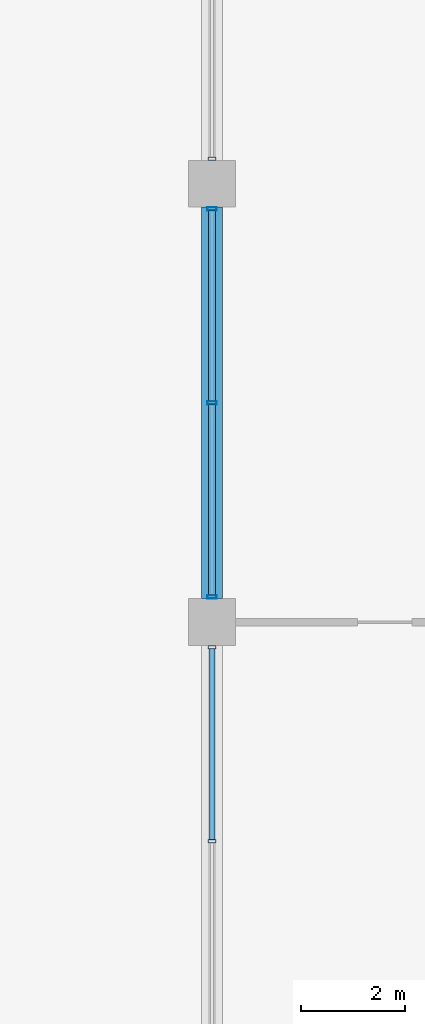
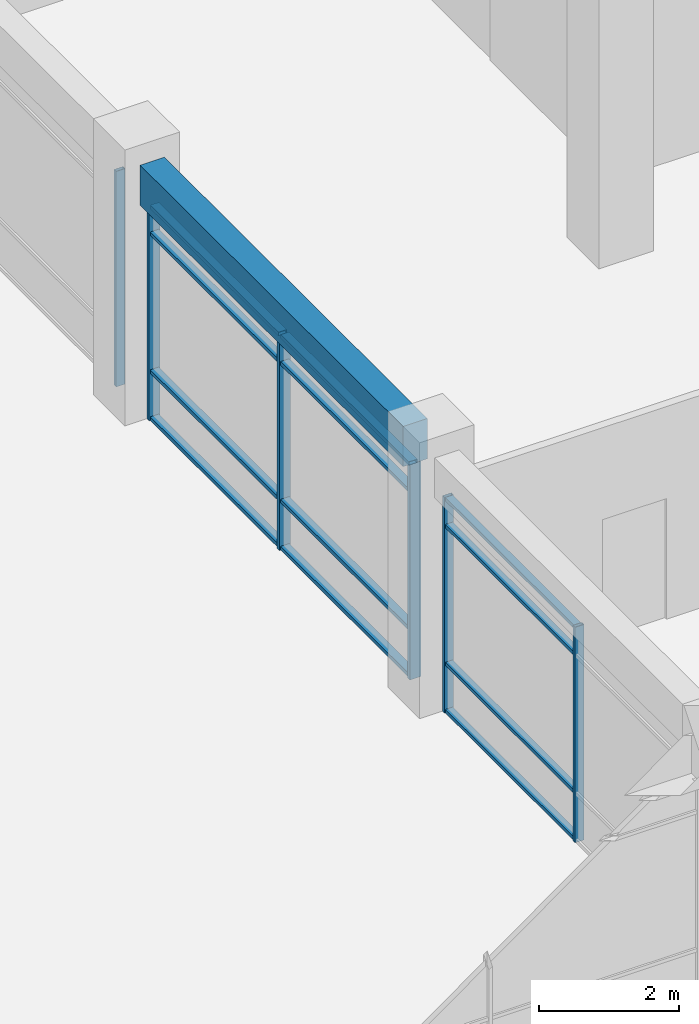
# One storey, part 29 of 74: 18 members, 1 beam, 3 elements without a shape of their own.
"""IFC4 building model written with IfcOpenShell, lengths in metres."""

import ifcopenshell
import ifcopenshell.guid

model = None  # the IFC model being written
_history = None  # IfcOwnerHistory: only IFC2X3 demands one
_inside = {}  # id of a spatial element -> (the spatial element, [elements in it])
_under = {}  # id of a project, library or spatial element -> (it, [spatial elements below it])
_declared = {}  # id of a project -> (the project, [libraries it declares])
_typed = {}  # id of a type object -> (the type object, [elements of that type])
_made_of = {}  # id of a material, layer set ... -> (it, [elements and type objects made of it])


def new_model(schema):
    """Start an empty IFC model of exactly this schema.

    Asked for "IFC4X3", IfcOpenShell would pick the latest addendum, in which some entities
    have other attributes; the version numbers below select the first issue.
    IFC2X3 requires an IfcOwnerHistory on every rooted entity: one is made here for all.
    """
    global model, _history
    if schema == "IFC4X3":
        model = ifcopenshell.file(schema_version=(4, 3, 0, 0))
    else:
        model = ifcopenshell.file(schema=schema)
    _inside.clear()
    _under.clear()
    _declared.clear()
    _typed.clear()
    _made_of.clear()
    _history = None
    if model.schema == "IFC2X3":
        org = make("IfcOrganization", Name="unknown")
        user = make(
            "IfcPersonAndOrganization",
            ThePerson=make("IfcPerson", FamilyName="unknown"),
            TheOrganization=org,
        )
        app = make(
            "IfcApplication",
            ApplicationDeveloper=org,
            Version="unknown",
            ApplicationFullName="unknown",
            ApplicationIdentifier="unknown",
        )
        _history = make(
            "IfcOwnerHistory",
            OwningUser=user,
            OwningApplication=app,
            ChangeAction="ADDED",
            CreationDate=0,
        )
    return model


def make(cls, **values):
    """One entity of the class cls with the attributes given. An attribute that is None is left unset."""
    return model.create_entity(
        cls, **{name: value for name, value in values.items() if value is not None}
    )


def rooted(cls, **values):
    """An entity with a GlobalId (a new one), such as an element, a storey or a relation."""
    return make(cls, GlobalId=ifcopenshell.guid.new(), OwnerHistory=_history, **values)


def si_unit(unit_type, name, prefix=None):
    """IfcSIUnit, for example si_unit("LENGTHUNIT", "METRE", prefix="MILLI")."""
    return make("IfcSIUnit", UnitType=unit_type, Prefix=prefix, Name=name)


def assignment(units):
    """IfcUnitAssignment: the units of a project."""
    return None if units is None else make("IfcUnitAssignment", Units=units)


def point(xyz):
    """IfcCartesianPoint."""
    return None if xyz is None else make("IfcCartesianPoint", Coordinates=xyz)


def direction(xyz):
    """IfcDirection."""
    return None if xyz is None else make("IfcDirection", DirectionRatios=xyz)


def frame(location, z_axis=None, x_axis=None):
    """IfcAxis2Placement3D, a coordinate frame: its origin and axes. An axis left out is left unset."""
    return make(
        "IfcAxis2Placement3D",
        Location=point(location),
        Axis=direction(z_axis),
        RefDirection=direction(x_axis),
    )


def frame_2d(location, x_axis=None):
    """IfcAxis2Placement2D, a coordinate frame in the plane: its origin and x axis."""
    return make(
        "IfcAxis2Placement2D", Location=point(location), RefDirection=direction(x_axis)
    )


def origin():
    """The frame at (0, 0, 0) with its axes left unset."""
    return frame((0.0, 0.0, 0.0))


def origin_2d():
    """The frame at (0, 0) in the plane with its x axis left unset."""
    return frame_2d((0.0, 0.0))


def place(relative_to, where):
    """IfcLocalPlacement: puts the frame where relative to a parent placement (None: the world)."""
    return make(
        "IfcLocalPlacement", PlacementRelTo=relative_to, RelativePlacement=where
    )


def context(
    kind, dimensions, precision=None, world=None, true_north=None, identifier=None
):
    """IfcGeometricRepresentationContext, for example the 3D "Model" context."""
    return make(
        "IfcGeometricRepresentationContext",
        ContextIdentifier=identifier,
        ContextType=kind,
        CoordinateSpaceDimension=dimensions,
        Precision=precision,
        WorldCoordinateSystem=world,
        TrueNorth=true_north,
    )


def subcontext(parent, identifier, kind, view, scale=None):
    """IfcGeometricRepresentationSubContext, for example "Body" below "Model"."""
    return make(
        "IfcGeometricRepresentationSubContext",
        ContextIdentifier=identifier,
        ContextType=kind,
        ParentContext=parent,
        TargetScale=scale,
        TargetView=view,
    )


def project(units=None, contexts=None):
    """IfcProject with its units and contexts."""
    return rooted(
        "IfcProject",
        Name="project",
        RepresentationContexts=contexts,
        UnitsInContext=assignment(units),
    )


def spatial(cls, under=None, at=None, **own):
    """A site, building, storey or space (cls), placed at a placement, below another one or the project."""
    s = rooted(cls, ObjectPlacement=at, **own)
    if under is not None:
        _under.setdefault(under.id(), (under, []))[1].append(s)
    return s


def profile(cls, at=None, kind="AREA", **sizes):
    """A parametric profile (cls). Its sizes go by their IFC names, for example OverallWidth=200.0."""
    return make(cls, ProfileType=kind, Position=at, **sizes)


def rectangle(**sizes):
    """IfcRectangleProfileDef."""
    return profile("IfcRectangleProfileDef", **sizes)


def hollow_rectangle(**sizes):
    """IfcRectangleHollowProfileDef."""
    return profile("IfcRectangleHollowProfileDef", **sizes)


def extrude(swept, where, along, depth):
    """IfcExtrudedAreaSolid: the profile swept, set in the frame where, extruded along a direction by depth."""
    return make(
        "IfcExtrudedAreaSolid",
        SweptArea=swept,
        Position=where,
        ExtrudedDirection=direction(along),
        Depth=depth,
    )


def shape(context_of_items, identifier, shape_type, items):
    """IfcShapeRepresentation: the items that make up one representation, for example the "Body"."""
    return make(
        "IfcShapeRepresentation",
        ContextOfItems=context_of_items,
        RepresentationIdentifier=identifier,
        RepresentationType=shape_type,
        Items=items,
    )


def material(Name=None, Category=None):
    """IfcMaterial."""
    return make("IfcMaterial", Name=Name, Category=Category)


def material_profile(
    of_material, cross_section, Name=None, Category=None, Priority=None
):
    """IfcMaterialProfile: a cross section and its material."""
    return make(
        "IfcMaterialProfile",
        Name=Name,
        Material=of_material,
        Profile=cross_section,
        Priority=Priority,
        Category=Category,
    )


def profile_set(profiles, Name=None, composite=None):
    """IfcMaterialProfileSet."""
    return make(
        "IfcMaterialProfileSet",
        Name=Name,
        MaterialProfiles=profiles,
        CompositeProfile=composite,
    )


def made_of(thing, what):
    """Note that an element or type object is made of a material, layer set ...; save() writes the relation."""
    if what is not None:
        _made_of.setdefault(what.id(), (what, []))[1].append(thing)
    return thing


def type_object(cls, material=None, **own):
    """A type object (cls), such as IfcWallType, which elements share."""
    return made_of(rooted(cls, **own), material)


def element(
    cls,
    number,
    at=None,
    inside=None,
    cuts=None,
    type_object=None,
    material=None,
    context=None,
    identifier="Body",
    shape_type=None,
    held_by="IfcProductDefinitionShape",
    body=None,
    shapes=None,
    **own,
):
    """One element of the class cls, such as IfcWall. Its Tag is "e" and its number.

    at: its placement. inside: the storey or other place that contains it. cuts: it is an
    opening in that element (IfcRelVoidsElement). A single representation is given by context,
    identifier, shape_type and body (its items); several are given by shapes. held_by: the class
    of the entity that holds the representations. save() writes the other relations.
    """
    e = rooted(cls, Tag="e%d" % number, ObjectPlacement=at, **own)
    if body is not None:
        shapes = [shape(context, identifier, shape_type, body)]
    if shapes is not None:
        e.Representation = make(held_by, Representations=shapes)
    if inside is not None:
        _inside.setdefault(inside.id(), (inside, []))[1].append(e)
    if cuts is not None:
        rooted(
            "IfcRelVoidsElement", RelatingBuildingElement=cuts, RelatedOpeningElement=e
        )
    if type_object is not None:
        _typed.setdefault(type_object.id(), (type_object, []))[1].append(e)
    return made_of(e, material)


def aggregate(whole, parts):
    """IfcRelAggregates: a whole, such as a stair, and the parts it consists of."""
    return rooted("IfcRelAggregates", RelatingObject=whole, RelatedObjects=parts)


def save(model, path):
    """Write the relations noted so far, then the file.

    IfcRelAggregates (storeys below a building ...), IfcRelContainedInSpatialStructure (elements
    in a storey), IfcRelDefinesByType, IfcRelAssociatesMaterial and IfcRelDeclares: one each for
    every whole, place, type object, material and project.
    """
    for whole, parts in _under.values():
        aggregate(whole, parts)
    for where, things in _inside.values():
        rooted(
            "IfcRelContainedInSpatialStructure",
            RelatedElements=things,
            RelatingStructure=where,
        )
    for kind, things in _typed.values():
        rooted("IfcRelDefinesByType", RelatedObjects=things, RelatingType=kind)
    for what, things in _made_of.values():
        rooted("IfcRelAssociatesMaterial", RelatedObjects=things, RelatingMaterial=what)
    for by, libraries in _declared.values():
        rooted("IfcRelDeclares", RelatingContext=by, RelatedDefinitions=libraries)
    model.write(path)


model = new_model("IFC4")

# Units and contexts
model_context = context("Model", 3, precision=1e-05, world=origin(), true_north=direction((0.0, 1.0)))
body_context = subcontext(model_context, "Body", "Model", "MODEL_VIEW")
ifc_project = project(units=[si_unit("LENGTHUNIT", "METRE"), si_unit("AREAUNIT", "SQUARE_METRE"), si_unit("VOLUMEUNIT", "CUBIC_METRE"), si_unit("PLANEANGLEUNIT", "RADIAN"), si_unit("MASSUNIT", "GRAM", prefix="KILO"), si_unit("THERMODYNAMICTEMPERATUREUNIT", "KELVIN"), si_unit("POWERUNIT", "WATT")], contexts=[model_context])

# Site, building, storey
site_placement = place(None, origin())
site = spatial("IfcSite", under=ifc_project, at=site_placement, CompositionType="ELEMENT")
building_placement = place(site_placement, origin())
building = spatial("IfcBuilding", under=site, at=building_placement, Name="Srebrne Nadtorze General Hospital", CompositionType="ELEMENT")
storey_placement = place(building_placement, origin())
storey = spatial("IfcBuildingStorey", under=building, at=storey_placement, Name="L00", CompositionType="ELEMENT", Elevation=0.0)

# Curtain wall, members
ifc_material_1 = material(Name="Anodised Aluminium", Category="aluminium")
curtain_wall_type = type_object("IfcCurtainWallType", Name="Unitised curtain wall 7500x3750", PredefinedType="NOTDEFINED", material=ifc_material_1)
curtain_wall_1_placement = place(storey_placement, origin())
curtain_wall_1 = element("IfcCurtainWall", 1, at=curtain_wall_1_placement, inside=storey, type_object=curtain_wall_type, Name="Curtain wall CW-022", PredefinedType="NOTDEFINED")
ifc_material_2 = material(Name="Anodised Aluminium", Category="aluminium")
ifc_material_profile_1 = material_profile(ifc_material_2, hollow_rectangle(XDim=0.06005859375, YDim=0.14990234375, WallThickness=0.00390625, at=origin_2d()), Name="AL-MUL-60x150")
ifc_profile_set_1 = profile_set([ifc_material_profile_1], Name="Anodised Aluminium")
member_type_1 = type_object("IfcMemberType", Name="Curtain mullion 60x150", PredefinedType="MULLION", material=ifc_profile_set_1)
member_1_placement = place(storey_placement, frame((101.39990234375, 29.39990234375, 0.0), z_axis=(0.0, 0.0, 1.0), x_axis=(0.0, 1.0, 0.0)))
member_1 = element("IfcMember", 2, at=member_1_placement, type_object=member_type_1, Name="CW-022 mullion 2", PredefinedType="MULLION", context=body_context, shape_type="SweptSolid", body=[
    extrude(hollow_rectangle(XDim=0.06005859375, YDim=0.14990234375, WallThickness=0.00390625, at=origin_2d()), origin(), (0.0, 0.0, 1.0), 3.75),
])
member_2_placement = place(storey_placement, frame((101.39990234375, 33.1201171875, 0.0), z_axis=(0.0, 0.0, 1.0), x_axis=(0.0, 1.0, 0.0)))
member_2 = element("IfcMember", 3, at=member_2_placement, type_object=member_type_1, Name="CW-022 mullion 3", PredefinedType="MULLION", context=body_context, shape_type="SweptSolid", body=[
    extrude(hollow_rectangle(XDim=0.06005859375, YDim=0.14990234375, WallThickness=0.00390625, at=origin_2d()), origin(), (0.0, 0.0, 1.0), 3.75),
])

# Curtain wall, member
curtain_wall_2_placement = place(storey_placement, origin())
curtain_wall_2 = element("IfcCurtainWall", 4, at=curtain_wall_2_placement, inside=storey, type_object=curtain_wall_type, Name="Curtain wall CW-024", PredefinedType="NOTDEFINED")
member_3_placement = place(storey_placement, frame((101.39990234375, 42.47998046875, 0.0), z_axis=(0.0, 0.0, 1.0), x_axis=(0.0, 1.0, 0.0)))
member_3 = element("IfcMember", 5, at=member_3_placement, type_object=member_type_1, Name="CW-024 mullion 1", PredefinedType="MULLION", context=body_context, shape_type="SweptSolid", body=[
    extrude(hollow_rectangle(XDim=0.06005859375, YDim=0.14990234375, WallThickness=0.00390625, at=origin_2d()), origin(), (0.0, 0.0, 1.0), 3.75),
])
aggregate(curtain_wall_2, [member_3])

# Curtain wall, members
curtain_wall_3_placement = place(storey_placement, origin())
curtain_wall_3 = element("IfcCurtainWall", 6, at=curtain_wall_3_placement, inside=storey, type_object=curtain_wall_type, Name="Curtain wall CW-023", PredefinedType="NOTDEFINED")
ifc_material_3 = material(Name="Anodised Aluminium", Category="aluminium")
ifc_material_profile_2 = material_profile(ifc_material_3, hollow_rectangle(XDim=0.06494140625, YDim=0.179931640625, WallThickness=0.00390625, at=origin_2d()), Name="AL-MUL-65x180")
ifc_profile_set_2 = profile_set([ifc_material_profile_2], Name="Anodised Aluminium")
member_type_2 = type_object("IfcMemberType", Name="Curtain mullion 65x180", PredefinedType="MULLION", material=ifc_profile_set_2)
member_4_placement = place(storey_placement, frame((101.39990234375, 34.08251953125, 0.0), z_axis=(0.0, 0.0, 1.0), x_axis=(0.0, 1.0, 0.0)))
member_4 = element("IfcMember", 7, at=member_4_placement, type_object=member_type_2, Name="CW-023 mullion 1", PredefinedType="MULLION", context=body_context, shape_type="SweptSolid", body=[
    extrude(hollow_rectangle(XDim=0.06494140625, YDim=0.179931640625, WallThickness=0.00390625, at=origin_2d()), origin(), (0.0, 0.0, 1.0), 3.75),
])
member_5_placement = place(storey_placement, frame((101.39990234375, 37.800048828125, 0.0), z_axis=(0.0, 0.0, 1.0), x_axis=(0.0, 1.0, 0.0)))
member_5 = element("IfcMember", 8, at=member_5_placement, type_object=member_type_2, Name="CW-023 mullion 2", PredefinedType="MULLION", context=body_context, shape_type="SweptSolid", body=[
    extrude(hollow_rectangle(XDim=0.06494140625, YDim=0.179931640625, WallThickness=0.00390625, at=origin_2d()), origin(), (0.0, 0.0, 1.0), 3.75),
])
member_6_placement = place(storey_placement, frame((101.39990234375, 41.517578125, 0.0), z_axis=(0.0, 0.0, 1.0), x_axis=(0.0, 1.0, 0.0)))
member_6 = element("IfcMember", 9, at=member_6_placement, type_object=member_type_2, Name="CW-023 mullion 3", PredefinedType="MULLION", context=body_context, shape_type="SweptSolid", body=[
    extrude(hollow_rectangle(XDim=0.06494140625, YDim=0.179931640625, WallThickness=0.00390625, at=origin_2d()), origin(), (0.0, 0.0, 1.0), 3.75),
])

# Member
ifc_material_4 = material(Name="Anodised Aluminium", Category="aluminium")
ifc_material_profile_3 = material_profile(ifc_material_4, hollow_rectangle(XDim=0.06005859375, YDim=0.1201171875, WallThickness=0.00390625, at=origin_2d()), Name="AL-TRN-60x120")
ifc_profile_set_3 = profile_set([ifc_material_profile_3], Name="Anodised Aluminium")
member_type_3 = type_object("IfcMemberType", Name="Curtain transom 60x120", PredefinedType="USERDEFINED", material=ifc_profile_set_3)
member_7_placement = place(storey_placement, frame((101.39990234375, 29.429931640625, 0.030029296875), z_axis=(0.0, 1.0, 0.0), x_axis=(0.0, 0.0, 1.0)))
member_7 = element("IfcMember", 10, at=member_7_placement, type_object=member_type_3, Name="CW-022 transom 2.1", ObjectType="TRANSOM", PredefinedType="USERDEFINED", context=body_context, shape_type="SweptSolid", body=[
    extrude(hollow_rectangle(XDim=0.06005859375, YDim=0.1201171875, WallThickness=0.00390625, at=origin_2d()), origin(), (0.0, 0.0, 1.0), 3.66015625),
])

member_8_placement = place(storey_placement, frame((101.39990234375, 29.429931640625, 0.85009765625), z_axis=(0.0, 1.0, 0.0), x_axis=(0.0, 0.0, 1.0)))
member_8 = element("IfcMember", 11, at=member_8_placement, type_object=member_type_3, Name="CW-022 transom 2.2", ObjectType="TRANSOM", PredefinedType="USERDEFINED", context=body_context, shape_type="SweptSolid", body=[
    extrude(hollow_rectangle(XDim=0.06005859375, YDim=0.1201171875, WallThickness=0.00390625, at=origin_2d()), origin(), (0.0, 0.0, 1.0), 3.66015625),
])

member_9_placement = place(storey_placement, frame((101.39990234375, 29.429931640625, 3.25), z_axis=(0.0, 1.0, 0.0), x_axis=(0.0, 0.0, 1.0)))
member_9 = element("IfcMember", 12, at=member_9_placement, type_object=member_type_3, Name="CW-022 transom 2.3", ObjectType="TRANSOM", PredefinedType="USERDEFINED", context=body_context, shape_type="SweptSolid", body=[
    extrude(hollow_rectangle(XDim=0.06005859375, YDim=0.1201171875, WallThickness=0.00390625, at=origin_2d()), origin(), (0.0, 0.0, 1.0), 3.66015625),
])

member_10_placement = place(storey_placement, frame((101.39990234375, 29.429931640625, 3.719970703125), z_axis=(0.0, 1.0, 0.0), x_axis=(0.0, 0.0, 1.0)))
member_10 = element("IfcMember", 13, at=member_10_placement, type_object=member_type_3, Name="CW-022 transom 2.4", ObjectType="TRANSOM", PredefinedType="USERDEFINED", context=body_context, shape_type="SweptSolid", body=[
    extrude(hollow_rectangle(XDim=0.06005859375, YDim=0.1201171875, WallThickness=0.00390625, at=origin_2d()), origin(), (0.0, 0.0, 1.0), 3.66015625),
])

aggregate(curtain_wall_1, [member_1, member_2, member_7, member_8, member_9, member_10])

ifc_material_5 = material(Name="Anodised Aluminium", Category="aluminium")
ifc_material_profile_4 = material_profile(ifc_material_5, hollow_rectangle(XDim=0.06494140625, YDim=0.139892578125, WallThickness=0.00390625, at=origin_2d()), Name="AL-TRN-65x140")
ifc_profile_set_4 = profile_set([ifc_material_profile_4], Name="Anodised Aluminium")
member_type_4 = type_object("IfcMemberType", Name="Curtain transom 65x140", PredefinedType="USERDEFINED", material=ifc_profile_set_4)
member_11_placement = place(storey_placement, frame((101.39990234375, 34.114990234375, 0.032470703125), z_axis=(0.0, 1.0, 0.0), x_axis=(0.0, 0.0, 1.0)))
member_11 = element("IfcMember", 14, at=member_11_placement, type_object=member_type_4, Name="CW-023 transom 1.1", ObjectType="TRANSOM", PredefinedType="USERDEFINED", context=body_context, shape_type="SweptSolid", body=[
    extrude(hollow_rectangle(XDim=0.06494140625, YDim=0.139892578125, WallThickness=0.00390625, at=origin_2d()), origin(), (0.0, 0.0, 1.0), 3.652587890625),
])

member_12_placement = place(storey_placement, frame((101.39990234375, 34.114990234375, 0.85009765625), z_axis=(0.0, 1.0, 0.0), x_axis=(0.0, 0.0, 1.0)))
member_12 = element("IfcMember", 15, at=member_12_placement, type_object=member_type_4, Name="CW-023 transom 1.2", ObjectType="TRANSOM", PredefinedType="USERDEFINED", context=body_context, shape_type="SweptSolid", body=[
    extrude(hollow_rectangle(XDim=0.06494140625, YDim=0.139892578125, WallThickness=0.00390625, at=origin_2d()), origin(), (0.0, 0.0, 1.0), 3.652587890625),
])

member_13_placement = place(storey_placement, frame((101.39990234375, 34.114990234375, 3.25), z_axis=(0.0, 1.0, 0.0), x_axis=(0.0, 0.0, 1.0)))
member_13 = element("IfcMember", 16, at=member_13_placement, type_object=member_type_4, Name="CW-023 transom 1.3", ObjectType="TRANSOM", PredefinedType="USERDEFINED", context=body_context, shape_type="SweptSolid", body=[
    extrude(hollow_rectangle(XDim=0.06494140625, YDim=0.139892578125, WallThickness=0.00390625, at=origin_2d()), origin(), (0.0, 0.0, 1.0), 3.652587890625),
])

member_14_placement = place(storey_placement, frame((101.39990234375, 34.114990234375, 3.717529296875), z_axis=(0.0, 1.0, 0.0), x_axis=(0.0, 0.0, 1.0)))
member_14 = element("IfcMember", 17, at=member_14_placement, type_object=member_type_4, Name="CW-023 transom 1.4", ObjectType="TRANSOM", PredefinedType="USERDEFINED", context=body_context, shape_type="SweptSolid", body=[
    extrude(hollow_rectangle(XDim=0.06494140625, YDim=0.139892578125, WallThickness=0.00390625, at=origin_2d()), origin(), (0.0, 0.0, 1.0), 3.652587890625),
])

member_15_placement = place(storey_placement, frame((101.39990234375, 37.83251953125, 0.032470703125), z_axis=(0.0, 1.0, 0.0), x_axis=(0.0, 0.0, 1.0)))
member_15 = element("IfcMember", 18, at=member_15_placement, type_object=member_type_4, Name="CW-023 transom 2.1", ObjectType="TRANSOM", PredefinedType="USERDEFINED", context=body_context, shape_type="SweptSolid", body=[
    extrude(hollow_rectangle(XDim=0.06494140625, YDim=0.139892578125, WallThickness=0.00390625, at=origin_2d()), origin(), (0.0, 0.0, 1.0), 3.652587890625),
])

member_16_placement = place(storey_placement, frame((101.39990234375, 37.83251953125, 0.85009765625), z_axis=(0.0, 1.0, 0.0), x_axis=(0.0, 0.0, 1.0)))
member_16 = element("IfcMember", 19, at=member_16_placement, type_object=member_type_4, Name="CW-023 transom 2.2", ObjectType="TRANSOM", PredefinedType="USERDEFINED", context=body_context, shape_type="SweptSolid", body=[
    extrude(hollow_rectangle(XDim=0.06494140625, YDim=0.139892578125, WallThickness=0.00390625, at=origin_2d()), origin(), (0.0, 0.0, 1.0), 3.652587890625),
])

member_17_placement = place(storey_placement, frame((101.39990234375, 37.83251953125, 3.25), z_axis=(0.0, 1.0, 0.0), x_axis=(0.0, 0.0, 1.0)))
member_17 = element("IfcMember", 20, at=member_17_placement, type_object=member_type_4, Name="CW-023 transom 2.3", ObjectType="TRANSOM", PredefinedType="USERDEFINED", context=body_context, shape_type="SweptSolid", body=[
    extrude(hollow_rectangle(XDim=0.06494140625, YDim=0.139892578125, WallThickness=0.00390625, at=origin_2d()), origin(), (0.0, 0.0, 1.0), 3.652587890625),
])

member_18_placement = place(storey_placement, frame((101.39990234375, 37.83251953125, 3.717529296875), z_axis=(0.0, 1.0, 0.0), x_axis=(0.0, 0.0, 1.0)))
member_18 = element("IfcMember", 21, at=member_18_placement, type_object=member_type_4, Name="CW-023 transom 2.4", ObjectType="TRANSOM", PredefinedType="USERDEFINED", context=body_context, shape_type="SweptSolid", body=[
    extrude(hollow_rectangle(XDim=0.06494140625, YDim=0.139892578125, WallThickness=0.00390625, at=origin_2d()), origin(), (0.0, 0.0, 1.0), 3.652587890625),
])

aggregate(curtain_wall_3, [member_4, member_5, member_6, member_11, member_12, member_13, member_14, member_15, member_16, member_17, member_18])

# Beam
ifc_material_6 = material(Name="Concrete C40/50", Category="concrete")
ifc_material_profile_5 = material_profile(ifc_material_6, rectangle(XDim=0.39990234375, YDim=0.699951171875, at=origin_2d()), Name="RC-BM-400x700")
ifc_profile_set_5 = profile_set([ifc_material_profile_5], Name="Concrete C40/50")
beam_type = type_object("IfcBeamType", Name="Edge beam RC 400x700", PredefinedType="BEAM", material=ifc_profile_set_5)
beam_placement = place(storey_placement, frame((101.39990234375, 34.050048828125, 4.10009765625), z_axis=(0.0, 1.0, 0.0), x_axis=(-1.0, 0.0, 0.0)))
element("IfcBeam", 22, at=beam_placement, inside=storey, type_object=beam_type, Name="Beam BM-L00-Y-0323", PredefinedType="BEAM", context=body_context, shape_type="SweptSolid", body=[
    extrude(rectangle(XDim=0.39990234375, YDim=0.699951171875, at=origin_2d()), origin(), (0.0, 0.0, 1.0), 7.5),
])

save(model, "model.ifc")
